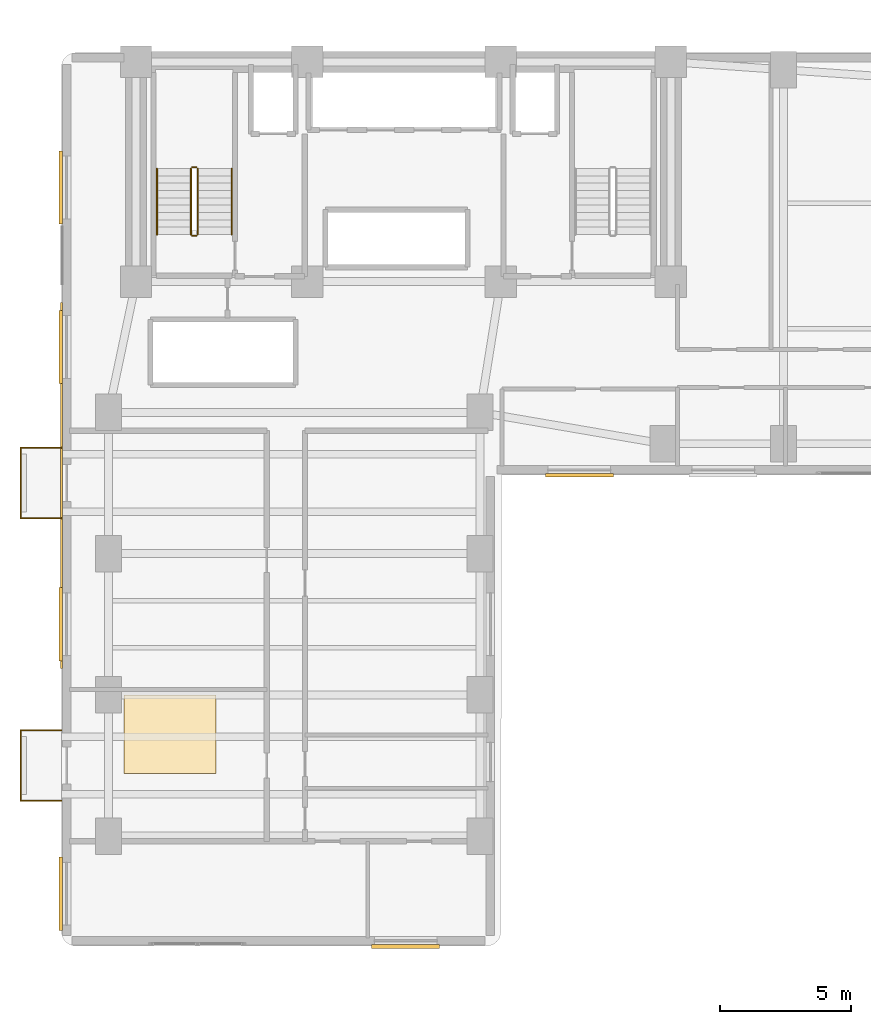
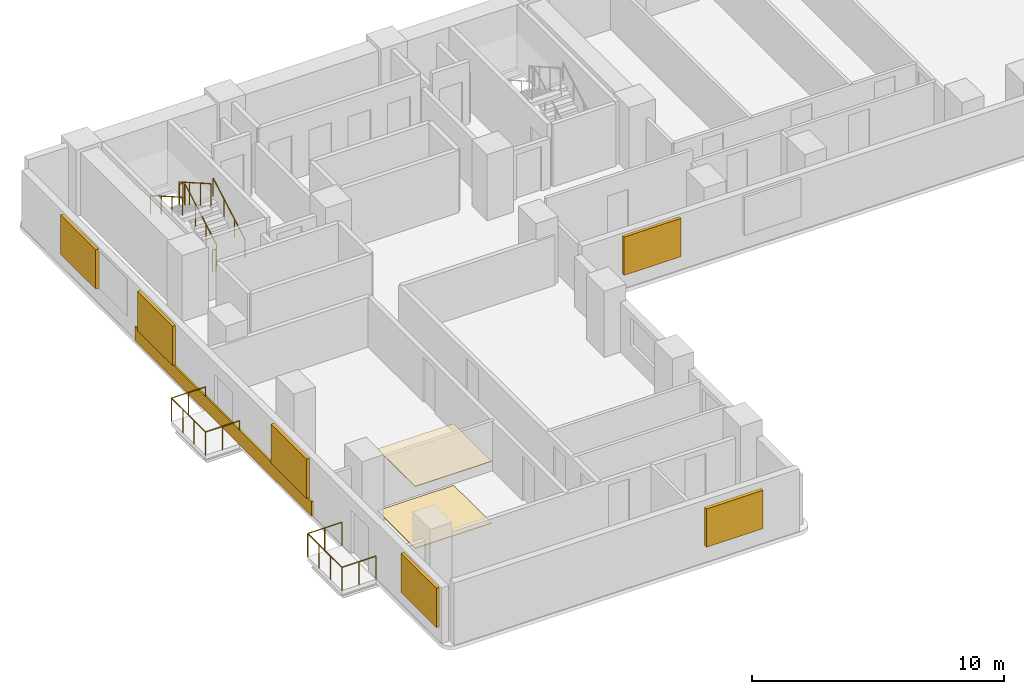
# One storey, part 13 of 16: 12 railings, 6 shading devices, 3 coverings.
"""IFC4 building model written with IfcOpenShell, lengths in metres."""

from ifc_helpers import new_model, si_unit, direction, frame, origin, origin_2d, place, context, subcontext, project, spatial, polyline, rectangle, circle, outline, extrude, material, layer, layer_set, type_object, element, save


model = new_model("IFC4")

# Units and contexts
model_context = context("Model", 3, precision=1e-05, world=origin(), true_north=direction((0.0, 1.0)))
body_context = subcontext(model_context, "Body", "Model", "MODEL_VIEW")
ifc_project = project(units=[si_unit("LENGTHUNIT", "METRE"), si_unit("AREAUNIT", "SQUARE_METRE"), si_unit("VOLUMEUNIT", "CUBIC_METRE"), si_unit("PLANEANGLEUNIT", "RADIAN"), si_unit("MASSUNIT", "GRAM", prefix="KILO")], contexts=[model_context])

# Site, building, storey
site_placement = place(None, origin())
site = spatial("IfcSite", under=ifc_project, at=site_placement, CompositionType="ELEMENT")
building_placement = place(site_placement, origin())
building = spatial("IfcBuilding", under=site, at=building_placement, Name="Kuzgunbayir Cultural Tower", CompositionType="ELEMENT")
storey_placement = place(building_placement, frame((0.0, 0.0, 66.0)))
storey = spatial("IfcBuildingStorey", under=building, at=storey_placement, Name="L18", CompositionType="ELEMENT", Elevation=66.0)

# Coverings
ifc_material_1 = material(Name="Perforated Gypsum Acoustic Tile", Category="gypsum")
ifc_layer_1 = layer(ifc_material_1, 0.02490234375)
ifc_layer_set_1 = layer_set([ifc_layer_1], Name="Perforated Gypsum Acoustic Tile")
covering_type_1 = type_object("IfcCoveringType", Name="COV-CEIL-ACOUSTIC", PredefinedType="CEILING", material=ifc_layer_set_1)
covering_1_placement = place(storey_placement, frame((0.0, 0.0, 2.989990234375)))
element("IfcCovering", 1, at=covering_1_placement, inside=storey, type_object=covering_type_1, Name="L18 Acoustic Soffit Ceiling", PredefinedType="CEILING", context=body_context, shape_type="SweptSolid", body=[
    extrude(outline(polyline([(6.0, 15.0), (9.5, 15.0), (9.5, 18.0), (6.0, 18.0), (6.0, 15.0)])), origin(), (0.0, 0.0, 1.0), 0.030029296875),
])
ifc_material_2 = material(Name="Perforated Bronze-Anodised Aluminium", Category="aluminium")
ifc_layer_2 = layer(ifc_material_2, 0.080078125)
ifc_layer_set_2 = layer_set([ifc_layer_2], Name="Perforated Bronze-Anodised Aluminium")
covering_type_2 = type_object("IfcCoveringType", Name="COV-CLAD-BRONZE-8", PredefinedType="CLADDING", material=ifc_layer_set_2)
covering_2_placement = place(storey_placement, frame((3.610107421875, 26.0, 0.0), z_axis=(0.0, 0.0, 1.0), x_axis=(1.0, 0.0, 0.0)))
element("IfcCovering", 2, at=covering_2_placement, inside=storey, type_object=covering_type_2, Name="L18 Architectural Spandrel Cladding Band", PredefinedType="CLADDING", context=body_context, shape_type="SweptSolid", body=[
    extrude(rectangle(XDim=0.080078125, YDim=14.0, at=origin_2d()), origin(), (0.0, 0.0, 1.0), 0.699951171875),
])
ifc_material_3 = material(Name="Honed Anatolian Marble Terrazzo", Category="masonry")
ifc_layer_3 = layer(ifc_material_3, 0.030029296875)
ifc_layer_set_3 = layer_set([ifc_layer_3], Name="Honed Anatolian Marble Terrazzo")
covering_type_3 = type_object("IfcCoveringType", Name="COV-FLOOR-TERRAZZO", PredefinedType="FLOORING", material=ifc_layer_set_3)
covering_3_placement = place(storey_placement, origin())
element("IfcCovering", 3, at=covering_3_placement, inside=storey, type_object=covering_type_3, Name="L18 Acoustic Floor Finish", PredefinedType="FLOORING", context=body_context, shape_type="SweptSolid", body=[
    extrude(outline(polyline([(6.0, 15.0), (9.5, 15.0), (9.5, 18.0), (6.0, 18.0), (6.0, 15.0)])), origin(), (0.0, 0.0, 1.0), 0.030029296875),
])

# Railings
ifc_material_4 = material(Name="Laminated Glass and Stainless Steel", Category="steel")
ifc_layer_4 = layer(ifc_material_4, 0.080078125)
ifc_layer_set_4 = layer_set([ifc_layer_4], Name="Laminated Glass and Stainless Steel")
railing_type_1 = type_object("IfcRailingType", Name="RLG-BAL-115", PredefinedType="BALUSTRADE", material=ifc_layer_set_4)
railing_1_placement = place(storey_placement, frame((3.60009765625, 13.949951171875, 0.0)))
element("IfcRailing", 4, at=railing_1_placement, inside=storey, type_object=railing_type_1, Name="L18 Balcony Guard BAL-L18-WA1 Segment 1", PredefinedType="BALUSTRADE", context=body_context, shape_type="SweptSolid", body=[
    extrude(circle(Radius=0.02392578125, at=origin_2d()), frame((0.0, 0.0, 1.1259765625), z_axis=(-1.0, 0.0, 0.0), x_axis=(0.0, -1.0, 0.0)), (0.0, 0.0, 1.0), 1.56005859375),
    extrude(circle(Radius=0.02099609375, at=origin_2d()), origin(), (0.0, 0.0, 1.0), 1.101806640625),
    extrude(circle(Radius=0.02099609375, at=origin_2d()), frame((-0.780029296875, 0.0, 0.0)), (0.0, 0.0, 1.0), 1.101806640625),
    extrude(circle(Radius=0.02099609375, at=origin_2d()), frame((-1.56005859375, 0.0, 0.0)), (0.0, 0.0, 1.0), 1.101806640625),
])
railing_2_placement = place(storey_placement, frame((2.0400390625, 13.949951171875, 0.0)))
element("IfcRailing", 5, at=railing_2_placement, inside=storey, type_object=railing_type_1, Name="L18 Balcony Guard BAL-L18-WA1 Segment 2", PredefinedType="BALUSTRADE", context=body_context, shape_type="SweptSolid", body=[
    extrude(circle(Radius=0.02392578125, at=origin_2d()), frame((0.0, 0.0, 1.1259765625), z_axis=(0.0, 1.0, 0.0), x_axis=(-1.0, 0.0, 0.0)), (0.0, 0.0, 1.0), 2.699951171875),
    extrude(circle(Radius=0.02099609375, at=origin_2d()), origin(), (0.0, 0.0, 1.0), 1.101806640625),
    extrude(circle(Radius=0.02099609375, at=origin_2d()), frame((0.0, 0.89990234375, 0.0)), (0.0, 0.0, 1.0), 1.101806640625),
    extrude(circle(Radius=0.02099609375, at=origin_2d()), frame((0.0, 1.800048828125, 0.0)), (0.0, 0.0, 1.0), 1.101806640625),
    extrude(circle(Radius=0.02099609375, at=origin_2d()), frame((0.0, 2.699951171875, 0.0)), (0.0, 0.0, 1.0), 1.101806640625),
])
railing_3_placement = place(storey_placement, frame((2.0400390625, 16.64990234375, 0.0)))
element("IfcRailing", 6, at=railing_3_placement, inside=storey, type_object=railing_type_1, Name="L18 Balcony Guard BAL-L18-WA1 Segment 3", PredefinedType="BALUSTRADE", context=body_context, shape_type="SweptSolid", body=[
    extrude(circle(Radius=0.02392578125, at=origin_2d()), frame((0.0, 0.0, 1.1259765625), z_axis=(1.0, 0.0, 0.0), x_axis=(0.0, 1.0, 0.0)), (0.0, 0.0, 1.0), 1.56005859375),
    extrude(circle(Radius=0.02099609375, at=origin_2d()), origin(), (0.0, 0.0, 1.0), 1.101806640625),
    extrude(circle(Radius=0.02099609375, at=origin_2d()), frame((0.780029296875, 0.0, 0.0)), (0.0, 0.0, 1.0), 1.101806640625),
    extrude(circle(Radius=0.02099609375, at=origin_2d()), frame((1.56005859375, 0.0, 0.0)), (0.0, 0.0, 1.0), 1.101806640625),
])
railing_4_placement = place(storey_placement, frame((3.60009765625, 24.75, 0.0)))
element("IfcRailing", 7, at=railing_4_placement, inside=storey, type_object=railing_type_1, Name="L18 Balcony Guard BAL-L18-WA3 Segment 1", PredefinedType="BALUSTRADE", context=body_context, shape_type="SweptSolid", body=[
    extrude(circle(Radius=0.02392578125, at=origin_2d()), frame((0.0, 0.0, 1.1259765625), z_axis=(-1.0, 0.0, 0.0), x_axis=(0.0, -1.0, 0.0)), (0.0, 0.0, 1.0), 1.56005859375),
    extrude(circle(Radius=0.02099609375, at=origin_2d()), origin(), (0.0, 0.0, 1.0), 1.101806640625),
    extrude(circle(Radius=0.02099609375, at=origin_2d()), frame((-0.780029296875, 0.0, 0.0)), (0.0, 0.0, 1.0), 1.101806640625),
    extrude(circle(Radius=0.02099609375, at=origin_2d()), frame((-1.56005859375, 0.0, 0.0)), (0.0, 0.0, 1.0), 1.101806640625),
])
railing_5_placement = place(storey_placement, frame((2.0400390625, 24.75, 0.0)))
element("IfcRailing", 8, at=railing_5_placement, inside=storey, type_object=railing_type_1, Name="L18 Balcony Guard BAL-L18-WA3 Segment 2", PredefinedType="BALUSTRADE", context=body_context, shape_type="SweptSolid", body=[
    extrude(circle(Radius=0.02392578125, at=origin_2d()), frame((0.0, 0.0, 1.1259765625), z_axis=(0.0, 1.0, 0.0), x_axis=(-1.0, 0.0, 0.0)), (0.0, 0.0, 1.0), 2.699951171875),
    extrude(circle(Radius=0.02099609375, at=origin_2d()), origin(), (0.0, 0.0, 1.0), 1.101806640625),
    extrude(circle(Radius=0.02099609375, at=origin_2d()), frame((0.0, 0.89990234375, 0.0)), (0.0, 0.0, 1.0), 1.101806640625),
    extrude(circle(Radius=0.02099609375, at=origin_2d()), frame((0.0, 1.800048828125, 0.0)), (0.0, 0.0, 1.0), 1.101806640625),
    extrude(circle(Radius=0.02099609375, at=origin_2d()), frame((0.0, 2.699951171875, 0.0)), (0.0, 0.0, 1.0), 1.101806640625),
])
railing_6_placement = place(storey_placement, frame((2.0400390625, 27.449951171875, 0.0)))
element("IfcRailing", 9, at=railing_6_placement, inside=storey, type_object=railing_type_1, Name="L18 Balcony Guard BAL-L18-WA3 Segment 3", PredefinedType="BALUSTRADE", context=body_context, shape_type="SweptSolid", body=[
    extrude(circle(Radius=0.02392578125, at=origin_2d()), frame((0.0, 0.0, 1.1259765625), z_axis=(1.0, 0.0, 0.0), x_axis=(0.0, 1.0, 0.0)), (0.0, 0.0, 1.0), 1.56005859375),
    extrude(circle(Radius=0.02099609375, at=origin_2d()), origin(), (0.0, 0.0, 1.0), 1.101806640625),
    extrude(circle(Radius=0.02099609375, at=origin_2d()), frame((0.780029296875, 0.0, 0.0)), (0.0, 0.0, 1.0), 1.101806640625),
    extrude(circle(Radius=0.02099609375, at=origin_2d()), frame((1.56005859375, 0.0, 0.0)), (0.0, 0.0, 1.0), 1.101806640625),
])
ifc_material_5 = material(Name="Brushed Stainless Steel", Category="steel")
ifc_layer_5 = layer(ifc_material_5, 0.050048828125)
ifc_layer_set_5 = layer_set([ifc_layer_5], Name="Brushed Stainless Steel")
railing_type_2 = type_object("IfcRailingType", Name="RLG-STAIR-HANDRAIL", PredefinedType="HANDRAIL", material=ifc_layer_set_5)
railing_7_placement = place(storey_placement, frame((10.110107421875, 35.60009765625, 0.159912109375)))
element("IfcRailing", 10, at=railing_7_placement, inside=storey, type_object=railing_type_2, Name="L18 ST-1 stair handrail 1", PredefinedType="HANDRAIL", context=body_context, shape_type="SweptSolid", body=[
    extrude(circle(Radius=0.02392578125, at=origin_2d()), frame((0.0, 0.0, 0.8759765625), z_axis=(0.0, 0.868217259934, 0.496184229447), x_axis=(-1.0, 0.0, 0.0)), (0.0, 0.0, 1.0), 2.902587890625),
    extrude(circle(Radius=0.02099609375, at=origin_2d()), origin(), (0.0, 0.0, 1.0), 0.851806640625),
    extrude(circle(Radius=0.02099609375, at=origin_2d()), frame((0.0, 0.840087890625, 0.47998046875)), (0.0, 0.0, 1.0), 0.851806640625),
    extrude(circle(Radius=0.02099609375, at=origin_2d()), frame((0.0, 1.679931640625, 0.960205078125)), (0.0, 0.0, 1.0), 0.851806640625),
    extrude(circle(Radius=0.02099609375, at=origin_2d()), frame((0.0, 2.52001953125, 1.440185546875)), (0.0, 0.0, 1.0), 0.851806640625),
])
railing_8_placement = place(storey_placement, frame((7.25, 38.1201171875, 1.760009765625)))
element("IfcRailing", 11, at=railing_8_placement, inside=storey, type_object=railing_type_2, Name="L18 ST-1 stair handrail 2", PredefinedType="HANDRAIL", context=body_context, shape_type="SweptSolid", body=[
    extrude(circle(Radius=0.02392578125, at=origin_2d()), frame((0.0, 0.0, 0.8759765625), z_axis=(0.0, -0.868253494771, 0.496120820787), x_axis=(1.0, 0.0, 0.0)), (0.0, 0.0, 1.0), 2.90234375),
    extrude(circle(Radius=0.02099609375, at=origin_2d()), origin(), (0.0, 0.0, 1.0), 0.851806640625),
    extrude(circle(Radius=0.02099609375, at=origin_2d()), frame((0.0, -0.840087890625, 0.47998046875)), (0.0, 0.0, 1.0), 0.851806640625),
    extrude(circle(Radius=0.02099609375, at=origin_2d()), frame((0.0, -1.679931640625, 0.9599609375)), (0.0, 0.0, 1.0), 0.851806640625),
    extrude(circle(Radius=0.02099609375, at=origin_2d()), frame((0.0, -2.52001953125, 1.43994140625)), (0.0, 0.0, 1.0), 0.851806640625),
])
ifc_material_6 = material(Name="Painted Steel Balustrade", Category="steel")
ifc_layer_6 = layer(ifc_material_6, 0.06005859375)
ifc_layer_set_6 = layer_set([ifc_layer_6], Name="Painted Steel Balustrade")
railing_type_3 = type_object("IfcRailingType", Name="RLG-WELL-GUARD", PredefinedType="GUARDRAIL", material=ifc_layer_set_6)
railing_9_placement = place(storey_placement, frame((8.81005859375, 35.60009765625, 0.159912109375)))
element("IfcRailing", 12, at=railing_9_placement, inside=storey, type_object=railing_type_3, Name="L18 ST-1 stair guard 1", PredefinedType="GUARDRAIL", context=body_context, shape_type="SweptSolid", body=[
    extrude(circle(Radius=0.02392578125, at=origin_2d()), frame((0.0, 0.0, 1.076171875), z_axis=(0.0, 0.868217259934, 0.496184229447), x_axis=(-1.0, 0.0, 0.0)), (0.0, 0.0, 1.0), 2.902587890625),
    extrude(circle(Radius=0.02099609375, at=origin_2d()), origin(), (0.0, 0.0, 1.0), 1.052001953125),
    extrude(circle(Radius=0.02099609375, at=origin_2d()), frame((0.0, 0.840087890625, 0.47998046875)), (0.0, 0.0, 1.0), 1.052001953125),
    extrude(circle(Radius=0.02099609375, at=origin_2d()), frame((0.0, 1.679931640625, 0.960205078125)), (0.0, 0.0, 1.0), 1.052001953125),
    extrude(circle(Radius=0.02099609375, at=origin_2d()), frame((0.0, 2.52001953125, 1.440185546875)), (0.0, 0.0, 1.0), 1.052001953125),
])
railing_10_placement = place(storey_placement, frame((8.760009765625, 38.169921875, 1.60009765625)))
element("IfcRailing", 13, at=railing_10_placement, inside=storey, type_object=railing_type_3, Name="L18 ST-1 stair guard 2", PredefinedType="GUARDRAIL", context=body_context, shape_type="SweptSolid", body=[
    extrude(circle(Radius=0.02392578125, at=origin_2d()), frame((0.0, 0.0, 1.076171875), z_axis=(-1.0, 0.0, 0.0), x_axis=(0.0, -1.0, 0.0)), (0.0, 0.0, 1.0), 0.159912109375),
    extrude(circle(Radius=0.02099609375, at=origin_2d()), origin(), (0.0, 0.0, 1.0), 1.052001953125),
    extrude(circle(Radius=0.02099609375, at=origin_2d()), frame((-0.159912109375, 0.0, 0.0)), (0.0, 0.0, 1.0), 1.052001953125),
])
railing_11_placement = place(storey_placement, frame((8.550048828125, 38.1201171875, 1.760009765625)))
element("IfcRailing", 14, at=railing_11_placement, inside=storey, type_object=railing_type_3, Name="L18 ST-1 stair guard 3", PredefinedType="GUARDRAIL", context=body_context, shape_type="SweptSolid", body=[
    extrude(circle(Radius=0.02392578125, at=origin_2d()), frame((0.0, 0.0, 1.076171875), z_axis=(0.0, -0.868253494771, 0.496120820787), x_axis=(1.0, 0.0, 0.0)), (0.0, 0.0, 1.0), 2.90234375),
    extrude(circle(Radius=0.02099609375, at=origin_2d()), origin(), (0.0, 0.0, 1.0), 1.052001953125),
    extrude(circle(Radius=0.02099609375, at=origin_2d()), frame((0.0, -0.840087890625, 0.47998046875)), (0.0, 0.0, 1.0), 1.052001953125),
    extrude(circle(Radius=0.02099609375, at=origin_2d()), frame((0.0, -1.679931640625, 0.9599609375)), (0.0, 0.0, 1.0), 1.052001953125),
    extrude(circle(Radius=0.02099609375, at=origin_2d()), frame((0.0, -2.52001953125, 1.43994140625)), (0.0, 0.0, 1.0), 1.052001953125),
])
railing_12_placement = place(storey_placement, frame((8.760009765625, 35.550048828125, 0.0)))
element("IfcRailing", 15, at=railing_12_placement, inside=storey, type_object=railing_type_3, Name="L18 ST-1 stair guard 4", PredefinedType="GUARDRAIL", context=body_context, shape_type="SweptSolid", body=[
    extrude(circle(Radius=0.02392578125, at=origin_2d()), frame((0.0, 0.0, 1.076171875), z_axis=(-1.0, 0.0, 0.0), x_axis=(0.0, -1.0, 0.0)), (0.0, 0.0, 1.0), 0.159912109375),
    extrude(circle(Radius=0.02099609375, at=origin_2d()), origin(), (0.0, 0.0, 1.0), 1.052001953125),
    extrude(circle(Radius=0.02099609375, at=origin_2d()), frame((-0.159912109375, 0.0, 0.0)), (0.0, 0.0, 1.0), 1.052001953125),
])

# Shading devices
shading_device_type_1 = type_object("IfcShadingDeviceType", Name="SHD-SOLAR-BRONZE", PredefinedType="JALOUSIE", material=ifc_material_2)
for number, where, z_axis, x_axis, name in (
    (16, (3.580078125, 10.39990234375, 0.699951171875), (0.0, 0.0, 1.0), (1.0, 0.0, 0.0), "L18 Perforated Bronze Solar Screen WAW2"),
    (17, (3.580078125, 20.699951171875, 0.699951171875), (0.0, 0.0, 1.0), (1.0, 0.0, 0.0), "L18 Perforated Bronze Solar Screen WAW3"),
    (18, (3.580078125, 31.300048828125, 0.699951171875), (0.0, 0.0, 1.0), (1.0, 0.0, 0.0), "L18 Perforated Bronze Solar Screen WAW4"),
    (19, (3.580078125, 37.39990234375, 0.699951171875), (0.0, 0.0, 1.0), (1.0, 0.0, 0.0), "L18 Perforated Bronze Solar Screen WAW5"),
):
    element("IfcShadingDevice", number, at=place(storey_placement, frame(where, z_axis=z_axis, x_axis=x_axis)), inside=storey, type_object=shading_device_type_1, Name=name, PredefinedType="JALOUSIE", context=body_context, shape_type="SweptSolid", body=[
        extrude(rectangle(XDim=0.139892578125, YDim=2.800048828125, at=origin_2d()), origin(), (0.0, 0.0, 1.0), 1.89990234375),
    ])
shading_device_1_placement = place(storey_placement, frame((23.39990234375, 26.389892578125, 0.724853515625), z_axis=(0.0, 0.0, 1.0), x_axis=(1.0, 0.0, 0.0)))
element("IfcShadingDevice", 20, at=shading_device_1_placement, inside=storey, type_object=shading_device_type_1, Name="L18 Solar Screen WBS9", PredefinedType="JALOUSIE", context=body_context, shape_type="SweptSolid", body=[
    extrude(rectangle(XDim=2.60009765625, YDim=0.139892578125, at=origin_2d()), origin(), (0.0, 0.0, 1.0), 1.85009765625),
])
ifc_material_7 = material(Name="Warm Terracotta Ceramic Baguette", Category="masonry")
shading_device_type_2 = type_object("IfcShadingDeviceType", Name="SHD-SOLAR-CERAMIC", PredefinedType="SHUTTER", material=ifc_material_7)
shading_device_2_placement = place(storey_placement, frame((16.760009765625, 8.3798828125, 0.824951171875), z_axis=(0.0, 0.0, 1.0), x_axis=(1.0, 0.0, 0.0)))
element("IfcShadingDevice", 21, at=shading_device_2_placement, inside=storey, type_object=shading_device_type_2, Name="L18 Solar Screen WAS8", PredefinedType="SHUTTER", context=body_context, shape_type="SweptSolid", body=[
    extrude(rectangle(XDim=2.60009765625, YDim=0.159912109375, at=origin_2d()), origin(), (0.0, 0.0, 1.0), 1.85009765625),
])

save(model, "model.ifc")
